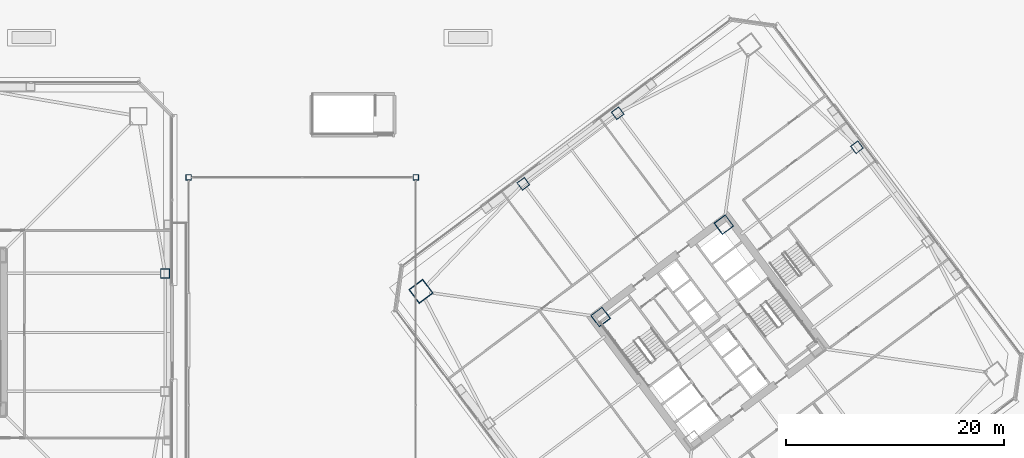
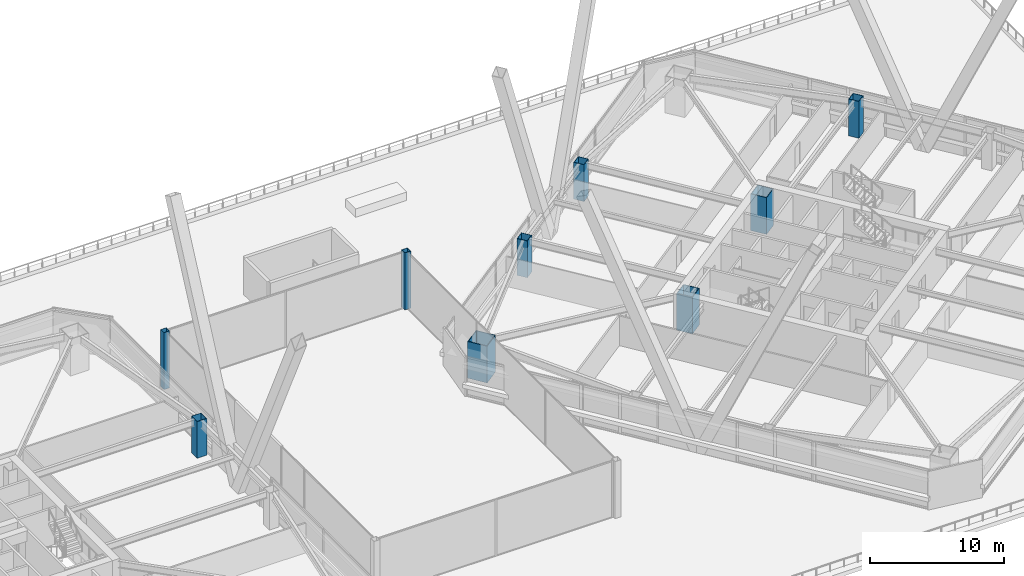
# One storey, part 3 of 83: 9 columns.
"""IFC4 building model written with IfcOpenShell, lengths in metres."""

from ifc_helpers import new_model, si_unit, direction, frame, origin, origin_2d, place, context, subcontext, project, spatial, hollow_rectangle, extrude, material, material_profile, profile_set, type_object, element, save


model = new_model("IFC4")

# Units and contexts
model_context = context("Model", 3, precision=1e-05, world=origin(), true_north=direction((0.0, 1.0)))
body_context = subcontext(model_context, "Body", "Model", "MODEL_VIEW")
ifc_project = project(units=[si_unit("LENGTHUNIT", "METRE"), si_unit("AREAUNIT", "SQUARE_METRE"), si_unit("VOLUMEUNIT", "CUBIC_METRE"), si_unit("PLANEANGLEUNIT", "RADIAN"), si_unit("MASSUNIT", "GRAM", prefix="KILO")], contexts=[model_context])

# Site, building, storey
site_placement = place(None, origin())
site = spatial("IfcSite", under=ifc_project, at=site_placement, CompositionType="ELEMENT")
building_placement = place(site_placement, origin())
building = spatial("IfcBuilding", under=site, at=building_placement, Name="Tashvorn Skyway Center", CompositionType="ELEMENT")
storey_placement = place(building_placement, frame((0.0, 0.0, 24.60009765625)))
storey = spatial("IfcBuildingStorey", under=building, at=storey_placement, Name="L05", CompositionType="ELEMENT", Elevation=24.60009765625)

# Columns
ifc_material = material(Name="Steel ASTM A572 Grade 50", Category="steel")
ifc_material_profile_1 = material_profile(ifc_material, hollow_rectangle(XDim=1.300048828125, YDim=1.300048828125, WallThickness=0.050048828125, at=origin_2d()), Name="BOX1300x1300x50")
ifc_profile_set_1 = profile_set([ifc_material_profile_1], Name="Steel ASTM A572 Grade 50")
column_type_1 = type_object("IfcColumnType", Name="COL-BOX1300x1300x50", PredefinedType="COLUMN", material=ifc_profile_set_1)
for number, where, z_axis, x_axis, name in (
    (1, (115.409912109375, 41.8701171875, 0.0), (0.0, 0.0, 1.0), (0.799999996291, 0.600000004945, 0.0), "Tower 2 L05 Core Corner Column CC-NE"),
    (2, (104.1298828125, 33.409912109375, 0.0), (0.0, 0.0, 1.0), (0.799999996291, 0.600000004945, 0.0), "Tower 2 L05 Core Corner Column CC-NW"),
):
    element("IfcColumn", number, at=place(storey_placement, frame(where, z_axis=z_axis, x_axis=x_axis)), inside=storey, type_object=column_type_1, Name=name, PredefinedType="COLUMN", context=body_context, shape_type="SweptSolid", body=[
        extrude(hollow_rectangle(XDim=1.300048828125, YDim=1.300048828125, WallThickness=0.050048828125, at=origin_2d()), origin(), (0.0, 0.0, 1.0), 3.349853515625),
    ])
ifc_material_profile_2 = material_profile(ifc_material, hollow_rectangle(XDim=1.60009765625, YDim=1.60009765625, WallThickness=0.06005859375, at=origin_2d()), Name="BOX1600x1600x60")
ifc_profile_set_2 = profile_set([ifc_material_profile_2], Name="Steel ASTM A572 Grade 50")
column_type_2 = type_object("IfcColumnType", Name="COL-BOX1600x1600x60", PredefinedType="COLUMN", material=ifc_profile_set_2)
column_placement = place(storey_placement, frame((87.679931640625, 35.760009765625, 0.0), z_axis=(0.0, 0.0, 1.0), x_axis=(0.799999996291, 0.600000004945, 0.0)))
element("IfcColumn", 3, at=column_placement, inside=storey, type_object=column_type_2, Name="Tower 2 L05 Mega-Column MC-NW", PredefinedType="COLUMN", context=body_context, shape_type="SweptSolid", body=[
    extrude(hollow_rectangle(XDim=1.60009765625, YDim=1.60009765625, WallThickness=0.06005859375, at=origin_2d()), origin(), (0.0, 0.0, 1.0), 3.349853515625),
])
ifc_material_profile_3 = material_profile(ifc_material, hollow_rectangle(XDim=0.85009765625, YDim=0.85009765625, WallThickness=0.034912109375, at=origin_2d()), Name="BOX850x850x35")
ifc_profile_set_3 = profile_set([ifc_material_profile_3], Name="Steel ASTM A572 Grade 50")
column_type_3 = type_object("IfcColumnType", Name="COL-BOX850x850x35", PredefinedType="COLUMN", material=ifc_profile_set_3)
for number, where, z_axis, x_axis, name in (
    (4, (64.25, 37.39990234375, 0.0), (0.0, 0.0, 1.0), (1.0, 0.0, 0.0), "Tower 1 L05 Perimeter Column FC-E2"),
    (5, (127.60009765625, 48.949951171875, 0.0), (0.0, 0.0, 1.0), (0.799999996291, 0.600000004945, 0.0), "Tower 2 L05 Perimeter Column FC-E2"),
    (6, (105.68994140625, 52.080078125, 0.0), (0.0, 0.0, 1.0), (0.799999996291, 0.600000004945, 0.0), "Tower 2 L05 Perimeter Column FC-N1"),
    (7, (97.050048828125, 45.60009765625, 0.0), (0.0, 0.0, 1.0), (0.799999996291, 0.600000004945, 0.0), "Tower 2 L05 Perimeter Column FC-N2"),
):
    element("IfcColumn", number, at=place(storey_placement, frame(where, z_axis=z_axis, x_axis=x_axis)), inside=storey, type_object=column_type_3, Name=name, PredefinedType="COLUMN", context=body_context, shape_type="SweptSolid", body=[
        extrude(hollow_rectangle(XDim=0.85009765625, YDim=0.85009765625, WallThickness=0.034912109375, at=origin_2d()), origin(), (0.0, 0.0, 1.0), 3.349853515625),
    ])
ifc_material_profile_4 = material_profile(ifc_material, hollow_rectangle(XDim=0.5, YDim=0.5, WallThickness=0.02001953125, at=origin_2d()), Name="HSS500x500x20")
ifc_profile_set_4 = profile_set([ifc_material_profile_4], Name="Steel ASTM A572 Grade 50")
column_type_4 = type_object("IfcColumnType", Name="COL-HSS500x500x20", PredefinedType="COLUMN", material=ifc_profile_set_4)
for number, where, z_axis, x_axis, name in (
    (8, (66.39990234375, 46.199951171875, 0.0), (0.0, 0.0, 1.0), (1.0, 0.0, 0.0), "Station Concourse Monitor Column 1-2"),
    (9, (87.199951171875, 46.199951171875, 0.0), (0.0, 0.0, 1.0), (1.0, 0.0, 0.0), "Station Concourse Monitor Column 2-2"),
):
    element("IfcColumn", number, at=place(storey_placement, frame(where, z_axis=z_axis, x_axis=x_axis)), inside=storey, type_object=column_type_4, Name=name, PredefinedType="COLUMN", context=body_context, shape_type="SweptSolid", body=[
        extrude(hollow_rectangle(XDim=0.5, YDim=0.5, WallThickness=0.02001953125, at=origin_2d()), origin(), (0.0, 0.0, 1.0), 5.199951171875),
    ])

save(model, "model.ifc")
